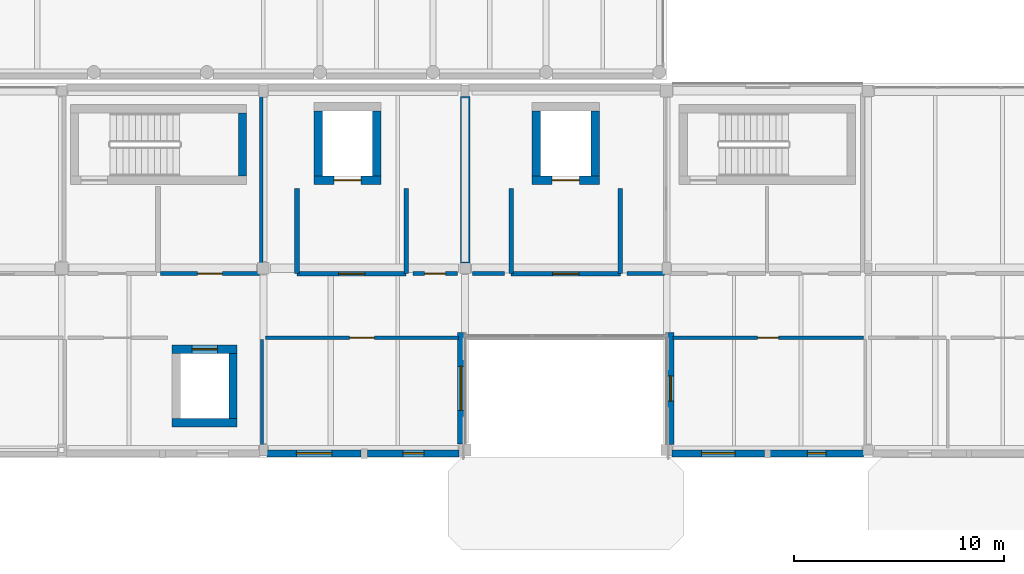
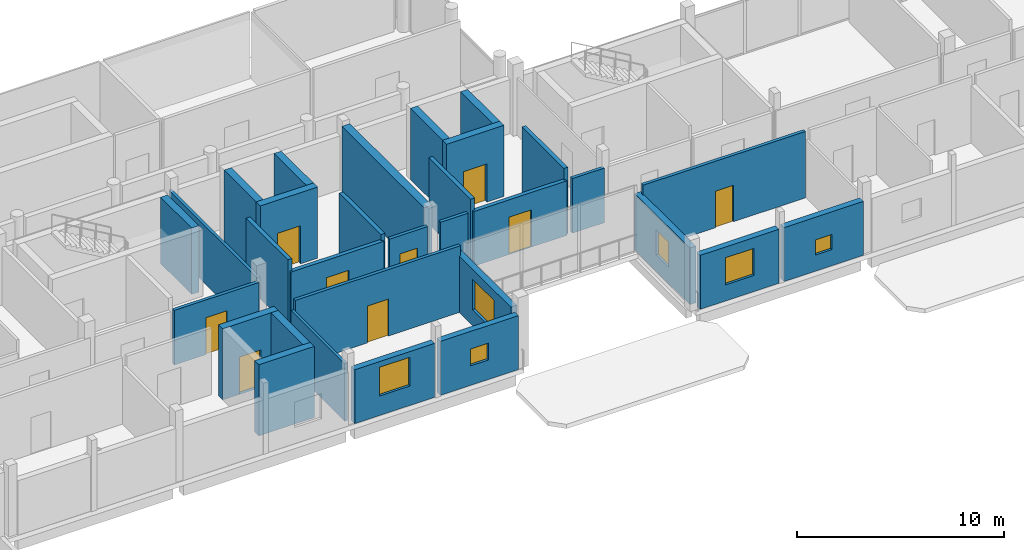
# One storey, part 43 of 66: 31 walls, 9 doors, 6 windows, 15 openings.
"""IFC4 building model written with IfcOpenShell, lengths in metres."""

import ifcopenshell
import ifcopenshell.guid

model = None  # the IFC model being written
_history = None  # IfcOwnerHistory: only IFC2X3 demands one
_inside = {}  # id of a spatial element -> (the spatial element, [elements in it])
_under = {}  # id of a project, library or spatial element -> (it, [spatial elements below it])
_declared = {}  # id of a project -> (the project, [libraries it declares])
_typed = {}  # id of a type object -> (the type object, [elements of that type])
_made_of = {}  # id of a material, layer set ... -> (it, [elements and type objects made of it])


def new_model(schema):
    """Start an empty IFC model of exactly this schema.

    Asked for "IFC4X3", IfcOpenShell would pick the latest addendum, in which some entities
    have other attributes; the version numbers below select the first issue.
    IFC2X3 requires an IfcOwnerHistory on every rooted entity: one is made here for all.
    """
    global model, _history
    if schema == "IFC4X3":
        model = ifcopenshell.file(schema_version=(4, 3, 0, 0))
    else:
        model = ifcopenshell.file(schema=schema)
    _inside.clear()
    _under.clear()
    _declared.clear()
    _typed.clear()
    _made_of.clear()
    _history = None
    if model.schema == "IFC2X3":
        org = make("IfcOrganization", Name="unknown")
        user = make(
            "IfcPersonAndOrganization",
            ThePerson=make("IfcPerson", FamilyName="unknown"),
            TheOrganization=org,
        )
        app = make(
            "IfcApplication",
            ApplicationDeveloper=org,
            Version="unknown",
            ApplicationFullName="unknown",
            ApplicationIdentifier="unknown",
        )
        _history = make(
            "IfcOwnerHistory",
            OwningUser=user,
            OwningApplication=app,
            ChangeAction="ADDED",
            CreationDate=0,
        )
    return model


def make(cls, **values):
    """One entity of the class cls with the attributes given. An attribute that is None is left unset."""
    return model.create_entity(
        cls, **{name: value for name, value in values.items() if value is not None}
    )


def rooted(cls, **values):
    """An entity with a GlobalId (a new one), such as an element, a storey or a relation."""
    return make(cls, GlobalId=ifcopenshell.guid.new(), OwnerHistory=_history, **values)


def si_unit(unit_type, name, prefix=None):
    """IfcSIUnit, for example si_unit("LENGTHUNIT", "METRE", prefix="MILLI")."""
    return make("IfcSIUnit", UnitType=unit_type, Prefix=prefix, Name=name)


def assignment(units):
    """IfcUnitAssignment: the units of a project."""
    return None if units is None else make("IfcUnitAssignment", Units=units)


def point(xyz):
    """IfcCartesianPoint."""
    return None if xyz is None else make("IfcCartesianPoint", Coordinates=xyz)


def direction(xyz):
    """IfcDirection."""
    return None if xyz is None else make("IfcDirection", DirectionRatios=xyz)


def frame(location, z_axis=None, x_axis=None):
    """IfcAxis2Placement3D, a coordinate frame: its origin and axes. An axis left out is left unset."""
    return make(
        "IfcAxis2Placement3D",
        Location=point(location),
        Axis=direction(z_axis),
        RefDirection=direction(x_axis),
    )


def frame_2d(location, x_axis=None):
    """IfcAxis2Placement2D, a coordinate frame in the plane: its origin and x axis."""
    return make(
        "IfcAxis2Placement2D", Location=point(location), RefDirection=direction(x_axis)
    )


def origin():
    """The frame at (0, 0, 0) with its axes left unset."""
    return frame((0.0, 0.0, 0.0))


def place(relative_to, where):
    """IfcLocalPlacement: puts the frame where relative to a parent placement (None: the world)."""
    return make(
        "IfcLocalPlacement", PlacementRelTo=relative_to, RelativePlacement=where
    )


def context(
    kind, dimensions, precision=None, world=None, true_north=None, identifier=None
):
    """IfcGeometricRepresentationContext, for example the 3D "Model" context."""
    return make(
        "IfcGeometricRepresentationContext",
        ContextIdentifier=identifier,
        ContextType=kind,
        CoordinateSpaceDimension=dimensions,
        Precision=precision,
        WorldCoordinateSystem=world,
        TrueNorth=true_north,
    )


def subcontext(parent, identifier, kind, view, scale=None):
    """IfcGeometricRepresentationSubContext, for example "Body" below "Model"."""
    return make(
        "IfcGeometricRepresentationSubContext",
        ContextIdentifier=identifier,
        ContextType=kind,
        ParentContext=parent,
        TargetScale=scale,
        TargetView=view,
    )


def project(units=None, contexts=None):
    """IfcProject with its units and contexts."""
    return rooted(
        "IfcProject",
        Name="project",
        RepresentationContexts=contexts,
        UnitsInContext=assignment(units),
    )


def spatial(cls, under=None, at=None, **own):
    """A site, building, storey or space (cls), placed at a placement, below another one or the project."""
    s = rooted(cls, ObjectPlacement=at, **own)
    if under is not None:
        _under.setdefault(under.id(), (under, []))[1].append(s)
    return s


def profile(cls, at=None, kind="AREA", **sizes):
    """A parametric profile (cls). Its sizes go by their IFC names, for example OverallWidth=200.0."""
    return make(cls, ProfileType=kind, Position=at, **sizes)


def rectangle(**sizes):
    """IfcRectangleProfileDef."""
    return profile("IfcRectangleProfileDef", **sizes)


def extrude(swept, where, along, depth):
    """IfcExtrudedAreaSolid: the profile swept, set in the frame where, extruded along a direction by depth."""
    return make(
        "IfcExtrudedAreaSolid",
        SweptArea=swept,
        Position=where,
        ExtrudedDirection=direction(along),
        Depth=depth,
    )


def shape(context_of_items, identifier, shape_type, items):
    """IfcShapeRepresentation: the items that make up one representation, for example the "Body"."""
    return make(
        "IfcShapeRepresentation",
        ContextOfItems=context_of_items,
        RepresentationIdentifier=identifier,
        RepresentationType=shape_type,
        Items=items,
    )


def material(Name=None, Category=None):
    """IfcMaterial."""
    return make("IfcMaterial", Name=Name, Category=Category)


def layer(
    of_material, thickness, ventilated=None, Name=None, Category=None, Priority=None
):
    """IfcMaterialLayer: one layer of a wall or slab, of a material (None: an air gap)."""
    return make(
        "IfcMaterialLayer",
        Material=of_material,
        LayerThickness=thickness,
        IsVentilated=ventilated,
        Name=Name,
        Category=Category,
        Priority=Priority,
    )


def layer_set(layers, Name=None):
    """IfcMaterialLayerSet."""
    return make("IfcMaterialLayerSet", MaterialLayers=layers, LayerSetName=Name)


def made_of(thing, what):
    """Note that an element or type object is made of a material, layer set ...; save() writes the relation."""
    if what is not None:
        _made_of.setdefault(what.id(), (what, []))[1].append(thing)
    return thing


def type_object(cls, material=None, **own):
    """A type object (cls), such as IfcWallType, which elements share."""
    return made_of(rooted(cls, **own), material)


def element(
    cls,
    number,
    at=None,
    inside=None,
    cuts=None,
    type_object=None,
    material=None,
    context=None,
    identifier="Body",
    shape_type=None,
    held_by="IfcProductDefinitionShape",
    body=None,
    shapes=None,
    **own,
):
    """One element of the class cls, such as IfcWall. Its Tag is "e" and its number.

    at: its placement. inside: the storey or other place that contains it. cuts: it is an
    opening in that element (IfcRelVoidsElement). A single representation is given by context,
    identifier, shape_type and body (its items); several are given by shapes. held_by: the class
    of the entity that holds the representations. save() writes the other relations.
    """
    e = rooted(cls, Tag="e%d" % number, ObjectPlacement=at, **own)
    if body is not None:
        shapes = [shape(context, identifier, shape_type, body)]
    if shapes is not None:
        e.Representation = make(held_by, Representations=shapes)
    if inside is not None:
        _inside.setdefault(inside.id(), (inside, []))[1].append(e)
    if cuts is not None:
        rooted(
            "IfcRelVoidsElement", RelatingBuildingElement=cuts, RelatedOpeningElement=e
        )
    if type_object is not None:
        _typed.setdefault(type_object.id(), (type_object, []))[1].append(e)
    return made_of(e, material)


def fill(opening, filler):
    """IfcRelFillsElement: the door or window that sits in an opening."""
    return rooted(
        "IfcRelFillsElement",
        RelatingOpeningElement=opening,
        RelatedBuildingElement=filler,
    )


def aggregate(whole, parts):
    """IfcRelAggregates: a whole, such as a stair, and the parts it consists of."""
    return rooted("IfcRelAggregates", RelatingObject=whole, RelatedObjects=parts)


def save(model, path):
    """Write the relations noted so far, then the file.

    IfcRelAggregates (storeys below a building ...), IfcRelContainedInSpatialStructure (elements
    in a storey), IfcRelDefinesByType, IfcRelAssociatesMaterial and IfcRelDeclares: one each for
    every whole, place, type object, material and project.
    """
    for whole, parts in _under.values():
        aggregate(whole, parts)
    for where, things in _inside.values():
        rooted(
            "IfcRelContainedInSpatialStructure",
            RelatedElements=things,
            RelatingStructure=where,
        )
    for kind, things in _typed.values():
        rooted("IfcRelDefinesByType", RelatedObjects=things, RelatingType=kind)
    for what, things in _made_of.values():
        rooted("IfcRelAssociatesMaterial", RelatedObjects=things, RelatingMaterial=what)
    for by, libraries in _declared.values():
        rooted("IfcRelDeclares", RelatingContext=by, RelatedDefinitions=libraries)
    model.write(path)


model = new_model("IFC4")

# Units and contexts
model_context = context("Model", 3, precision=1e-05, world=origin(), true_north=direction((0.0, 1.0)))
body_context = subcontext(model_context, "Body", "Model", "MODEL_VIEW")
ifc_project = project(units=[si_unit("LENGTHUNIT", "METRE"), si_unit("AREAUNIT", "SQUARE_METRE"), si_unit("VOLUMEUNIT", "CUBIC_METRE"), si_unit("PLANEANGLEUNIT", "RADIAN"), si_unit("MASSUNIT", "GRAM", prefix="KILO")], contexts=[model_context])

# Site, building, storey
site_placement = place(None, origin())
site = spatial("IfcSite", under=ifc_project, at=site_placement, CompositionType="ELEMENT")
building_placement = place(site_placement, origin())
building = spatial("IfcBuilding", under=site, at=building_placement, Name="Birchvale Park Specialist Clinic", CompositionType="ELEMENT")
storey_placement = place(building_placement, frame((0.0, 0.0, 5.39990234375)))
storey = spatial("IfcBuildingStorey", under=building, at=storey_placement, Name="L01", CompositionType="ELEMENT", Elevation=5.39990234375)

# Wall
ifc_material_1 = material(Name="Concrete C40/50", Category="concrete")
ifc_layer_1 = layer(ifc_material_1, 0.39990234375)
ifc_layer_set_1 = layer_set([ifc_layer_1], Name="Concrete C40/50")
wall_type_1 = type_object("IfcWallType", Name="WL-CW-120", PredefinedType="SHEAR", material=ifc_layer_set_1)
wall_1_placement = place(storey_placement, frame((70.0, 33.199951171875, 0.0), z_axis=(0.0, 0.0, 1.0), x_axis=(0.0, -1.0, 0.0)))
element("IfcWall", 1, at=wall_1_placement, inside=storey, type_object=wall_type_1, Name="L01 stair ST4 EI 120 enclosure wall (east)", PredefinedType="SHEAR", context=body_context, shape_type="SweptSolid", body=[
    extrude(rectangle(XDim=3.0, YDim=0.39990234375, at=frame_2d((1.5, 0.0))), origin(), (0.0, 0.0, 1.0), 3.920166015625),
])

# Wall, opening, door
wall_2_placement = place(storey_placement, frame((73.39990234375, 30.0, 0.0), z_axis=(0.0, 0.0, 1.0), x_axis=(1.0, 0.0, 0.0)))
wall_2 = element("IfcWall", 2, at=wall_2_placement, inside=storey, type_object=wall_type_1, Name="L01 lift LF1 shaft wall (south)", PredefinedType="SHEAR", context=body_context, shape_type="SweptSolid", body=[
    extrude(rectangle(XDim=3.2001953125, YDim=0.39990234375, at=frame_2d((1.60009765625, 0.0))), origin(), (0.0, 0.0, 1.0), 4.2001953125),
])
opening_1_placement = place(wall_2_placement, frame((0.949951171875, 0.0, 0.0)))
opening_1 = element("IfcOpeningElement", 3, at=opening_1_placement, cuts=wall_2, Name="Opening LD-02", PredefinedType="OPENING", context=body_context, shape_type="SweptSolid", body=[
    extrude(rectangle(XDim=1.300048828125, YDim=2.25, at=frame_2d((0.64990234375, 1.125))), frame((0.0, 0.2099609375, 0.0), z_axis=(0.0, -1.0, 0.0), x_axis=(1.0, 0.0, 0.0)), (0.0, 0.0, 1.0), 0.419921875),
])
ifc_material_2 = material(Name="Solid-core birch veneer and anodised aluminium", Category="aluminium")
door_type_1 = type_object("IfcDoorType", Name="DR-LD-02", OperationType="DOUBLE_DOOR_SLIDING", PredefinedType="DOOR", material=ifc_material_2)
door_1_placement = place(opening_1_placement, origin())
door_1 = element("IfcDoor", 4, at=door_1_placement, inside=storey, type_object=door_type_1, Name="L01 lift LF1 sliding landing door", OperationType="DOUBLE_DOOR_SLIDING", OverallHeight=2.25, OverallWidth=1.300048828125, PredefinedType="DOOR", context=body_context, shape_type="SweptSolid", body=[
    extrude(rectangle(XDim=1.300048828125, YDim=2.25, at=frame_2d((0.64990234375, 1.125))), frame((0.0, 0.02490234375, 0.0), z_axis=(0.0, -1.0, 0.0), x_axis=(1.0, 0.0, 0.0)), (0.0, 0.0, 1.0), 0.050048828125),
])
fill(opening_1, door_1)

# Walls
for number, where, z_axis, x_axis, name in (
    (5, (73.60009765625, 30.199951171875, 0.0), (0.0, 0.0, 1.0), (0.0, 1.0, 0.0), "L01 lift LF1 shaft wall (west)"),
    (6, (76.39990234375, 33.300048828125, 0.0), (0.0, 0.0, 1.0), (0.0, -1.0, 0.0), "L01 lift LF1 shaft wall (east)"),
):
    element("IfcWall", number, at=place(storey_placement, frame(where, z_axis=z_axis, x_axis=x_axis)), inside=storey, type_object=wall_type_1, Name=name, PredefinedType="SHEAR", context=body_context, shape_type="SweptSolid", body=[
        extrude(rectangle(XDim=3.10009765625, YDim=0.39990234375, at=frame_2d((1.550048828125, 0.0))), origin(), (0.0, 0.0, 1.0), 4.2001953125),
    ])

# Wall, opening, door
wall_3_placement = place(storey_placement, frame((83.800048828125, 30.0, 0.0), z_axis=(0.0, 0.0, 1.0), x_axis=(1.0, 0.0, 0.0)))
wall_3 = element("IfcWall", 7, at=wall_3_placement, inside=storey, type_object=wall_type_1, Name="L01 lift LF2 shaft wall (south)", PredefinedType="SHEAR", context=body_context, shape_type="SweptSolid", body=[
    extrude(rectangle(XDim=3.199951171875, YDim=0.39990234375, at=frame_2d((1.60009765625, 0.0))), origin(), (0.0, 0.0, 1.0), 4.2001953125),
])
opening_2_placement = place(wall_3_placement, frame((0.949951171875, 0.0, 0.0)))
opening_2 = element("IfcOpeningElement", 8, at=opening_2_placement, cuts=wall_3, Name="Opening LD-02", PredefinedType="OPENING", context=body_context, shape_type="SweptSolid", body=[
    extrude(rectangle(XDim=1.300048828125, YDim=2.25, at=frame_2d((0.64990234375, 1.125))), frame((0.0, 0.2099609375, 0.0), z_axis=(0.0, -1.0, 0.0), x_axis=(1.0, 0.0, 0.0)), (0.0, 0.0, 1.0), 0.419921875),
])
door_2_placement = place(opening_2_placement, origin())
door_2 = element("IfcDoor", 9, at=door_2_placement, inside=storey, type_object=door_type_1, Name="L01 lift LF2 sliding landing door", OperationType="DOUBLE_DOOR_SLIDING", OverallHeight=2.25, OverallWidth=1.300048828125, PredefinedType="DOOR", context=body_context, shape_type="SweptSolid", body=[
    extrude(rectangle(XDim=1.300048828125, YDim=2.25, at=frame_2d((0.64990234375, 1.125))), frame((0.0, 0.02490234375, 0.0), z_axis=(0.0, -1.0, 0.0), x_axis=(1.0, 0.0, 0.0)), (0.0, 0.0, 1.0), 0.050048828125),
])
fill(opening_2, door_2)

# Walls
for number, where, z_axis, x_axis, name in (
    (10, (84.0, 30.199951171875, 0.0), (0.0, 0.0, 1.0), (0.0, 1.0, 0.0), "L01 lift LF2 shaft wall (west)"),
    (11, (86.800048828125, 33.300048828125, 0.0), (0.0, 0.0, 1.0), (0.0, -1.0, 0.0), "L01 lift LF2 shaft wall (east)"),
    (12, (66.64990234375, 18.449951171875, 0.0), (0.0, 0.0, 1.0), (1.0, 0.0, 0.0), "L01 lift LP1 shaft wall (south)"),
):
    element("IfcWall", number, at=place(storey_placement, frame(where, z_axis=z_axis, x_axis=x_axis)), inside=storey, type_object=wall_type_1, Name=name, PredefinedType="SHEAR", context=body_context, shape_type="SweptSolid", body=[
        extrude(rectangle(XDim=3.10009765625, YDim=0.39990234375, at=frame_2d((1.550048828125, 0.0))), origin(), (0.0, 0.0, 1.0), 4.2001953125),
    ])

# Wall, opening, door
wall_4_placement = place(storey_placement, frame((69.75, 21.949951171875, 0.0), z_axis=(0.0, 0.0, 1.0), x_axis=(-1.0, 0.0, 0.0)))
wall_4 = element("IfcWall", 13, at=wall_4_placement, inside=storey, type_object=wall_type_1, Name="L01 lift LP1 shaft wall (north)", PredefinedType="SHEAR", context=body_context, shape_type="SweptSolid", body=[
    extrude(rectangle(XDim=3.10009765625, YDim=0.39990234375, at=frame_2d((1.550048828125, 0.0))), origin(), (0.0, 0.0, 1.0), 4.2001953125),
])
opening_3_placement = place(wall_4_placement, frame((0.949951171875, 0.0, 0.0)))
opening_3 = element("IfcOpeningElement", 14, at=opening_3_placement, cuts=wall_4, Name="Opening LD-01", PredefinedType="OPENING", context=body_context, shape_type="SweptSolid", body=[
    extrude(rectangle(XDim=1.199951171875, YDim=2.199951171875, at=frame_2d((0.60009765625, 1.10009765625))), frame((0.0, 0.2099609375, 0.0), z_axis=(0.0, -1.0, 0.0), x_axis=(1.0, 0.0, 0.0)), (0.0, 0.0, 1.0), 0.419921875),
])
door_type_2 = type_object("IfcDoorType", Name="DR-LD-01", OperationType="DOUBLE_DOOR_SLIDING", PredefinedType="DOOR", material=ifc_material_2)
door_3_placement = place(opening_3_placement, origin())
door_3 = element("IfcDoor", 15, at=door_3_placement, inside=storey, type_object=door_type_2, Name="L01 lift LP1 sliding landing door", OperationType="DOUBLE_DOOR_SLIDING", OverallHeight=2.199951171875, OverallWidth=1.199951171875, PredefinedType="DOOR", context=body_context, shape_type="SweptSolid", body=[
    extrude(rectangle(XDim=1.199951171875, YDim=2.199951171875, at=frame_2d((0.60009765625, 1.10009765625))), frame((0.0, 0.02490234375, 0.0), z_axis=(0.0, -1.0, 0.0), x_axis=(1.0, 0.0, 0.0)), (0.0, 0.0, 1.0), 0.050048828125),
])
fill(opening_3, door_3)

# Wall
wall_5_placement = place(storey_placement, frame((69.550048828125, 21.75, 0.0), z_axis=(0.0, 0.0, 1.0), x_axis=(0.0, -1.0, 0.0)))
element("IfcWall", 16, at=wall_5_placement, inside=storey, type_object=wall_type_1, Name="L01 lift LP1 shaft wall (east)", PredefinedType="SHEAR", context=body_context, shape_type="SweptSolid", body=[
    extrude(rectangle(XDim=3.10009765625, YDim=0.39990234375, at=frame_2d((1.550048828125, 0.0))), origin(), (0.0, 0.0, 1.0), 4.2001953125),
])

# Wall, opening, window
ifc_material_3 = material(Name="Lime-white mineral-rendered insulated masonry", Category="masonry")
ifc_layer_2 = layer(ifc_material_3, 0.340087890625)
ifc_layer_set_2 = layer_set([ifc_layer_2], Name="Lime-white mineral-rendered insulated masonry")
wall_type_2 = type_object("IfcWallType", Name="WL-EW-01", PredefinedType="STANDARD", material=ifc_layer_set_2)
wall_6_placement = place(storey_placement, frame((71.179931640625, 16.989990234375, 0.0), z_axis=(0.0, 0.0, 1.0), x_axis=(1.0, 0.0, 0.0)))
wall_6 = element("IfcWall", 17, at=wall_6_placement, inside=storey, type_object=wall_type_2, Name="V4 L01 exterior facade wall 141", PredefinedType="STANDARD", context=body_context, shape_type="SweptSolid", body=[
    extrude(rectangle(XDim=4.465087890625, YDim=0.340087890625, at=frame_2d((2.232421875, 0.0))), origin(), (0.0, 0.0, 1.0), 3.18505859375),
])
opening_4_placement = place(wall_6_placement, frame((1.382568359375, 0.0, 1.14990234375)))
opening_4 = element("IfcOpeningElement", 18, at=opening_4_placement, cuts=wall_6, Name="Opening W-SQ17", PredefinedType="OPENING", context=body_context, shape_type="SweptSolid", body=[
    extrude(rectangle(XDim=1.699951171875, YDim=1.699951171875, at=frame_2d((0.85009765625, 0.85009765625))), frame((0.0, 0.18017578125, 0.0), z_axis=(0.0, -1.0, 0.0), x_axis=(1.0, 0.0, 0.0)), (0.0, 0.0, 1.0), 0.360107421875),
])
ifc_material_4 = material(Name="Solar-control low-E double glazing", Category="glass")
window_type_1 = type_object("IfcWindowType", Name="WIN-W-SQ17", PartitioningType="SINGLE_PANEL", PredefinedType="WINDOW", material=ifc_material_4)
window_1_placement = place(opening_4_placement, origin())
window_1 = element("IfcWindow", 19, at=window_1_placement, inside=storey, type_object=window_type_1, Name="V4 L01 cased window 35", OverallHeight=1.699951171875, OverallWidth=1.699951171875, PartitioningType="SINGLE_PANEL", PredefinedType="WINDOW", context=body_context, shape_type="SweptSolid", body=[
    extrude(rectangle(XDim=1.699951171875, YDim=1.699951171875, at=frame_2d((0.85009765625, 0.85009765625))), frame((0.0, 0.030029296875, 0.0), z_axis=(0.0, -1.0, 0.0), x_axis=(1.0, 0.0, 0.0)), (0.0, 0.0, 1.0), 0.06005859375),
])
fill(opening_4, window_1)

wall_7_placement = place(storey_placement, frame((75.955078125, 16.989990234375, 0.0), z_axis=(0.0, 0.0, 1.0), x_axis=(1.0, 0.0, 0.0)))
wall_7 = element("IfcWall", 20, at=wall_7_placement, inside=storey, type_object=wall_type_2, Name="V4 L01 exterior facade wall 142", PredefinedType="STANDARD", context=body_context, shape_type="SweptSolid", body=[
    extrude(rectangle(XDim=4.35986328125, YDim=0.340087890625, at=frame_2d((2.179931640625, 0.0))), origin(), (0.0, 0.0, 1.0), 3.18505859375),
])
opening_5_placement = place(wall_7_placement, frame((1.679931640625, 0.0, 1.14990234375)))
opening_5 = element("IfcOpeningElement", 21, at=opening_5_placement, cuts=wall_7, Name="Opening W-SQ10", PredefinedType="OPENING", context=body_context, shape_type="SweptSolid", body=[
    extrude(rectangle(XDim=1.0, YDim=1.0, at=frame_2d((0.5, 0.5))), frame((0.0, 0.18017578125, 0.0), z_axis=(0.0, -1.0, 0.0), x_axis=(1.0, 0.0, 0.0)), (0.0, 0.0, 1.0), 0.360107421875),
])
window_type_2 = type_object("IfcWindowType", Name="WIN-W-SQ10", PartitioningType="SINGLE_PANEL", PredefinedType="WINDOW", material=ifc_material_4)
window_2_placement = place(opening_5_placement, origin())
window_2 = element("IfcWindow", 22, at=window_2_placement, inside=storey, type_object=window_type_2, Name="V4 L01 cased window 36", OverallHeight=1.0, OverallWidth=1.0, PartitioningType="SINGLE_PANEL", PredefinedType="WINDOW", context=body_context, shape_type="SweptSolid", body=[
    extrude(rectangle(XDim=1.0, YDim=1.0, at=frame_2d((0.5, 0.5))), frame((0.0, 0.030029296875, 0.0), z_axis=(0.0, -1.0, 0.0), x_axis=(1.0, 0.0, 0.0)), (0.0, 0.0, 1.0), 0.06005859375),
])
fill(opening_5, window_2)

wall_8_placement = place(storey_placement, frame((80.409912109375, 17.43505859375, 0.0), z_axis=(0.0, 0.0, 1.0), x_axis=(0.0, 1.0, 0.0)))
wall_8 = element("IfcWall", 23, at=wall_8_placement, inside=storey, type_object=wall_type_2, Name="V4 L01 exterior facade wall 143", PredefinedType="STANDARD", context=body_context, shape_type="SweptSolid", body=[
    extrude(rectangle(XDim=5.304931640625, YDim=0.340087890625, at=frame_2d((2.65234375, 0.0))), origin(), (0.0, 0.0, 1.0), 3.335205078125),
])
opening_6_placement = place(wall_8_placement, frame((1.6025390625, 0.0, 0.949951171875)))
opening_6 = element("IfcOpeningElement", 24, at=opening_6_placement, cuts=wall_8, Name="Opening W-CL07", PredefinedType="OPENING", context=body_context, shape_type="SweptSolid", body=[
    extrude(rectangle(XDim=2.10009765625, YDim=1.800048828125, at=frame_2d((1.050048828125, 0.89990234375))), frame((0.0, 0.18017578125, 0.0), z_axis=(0.0, -1.0, 0.0), x_axis=(1.0, 0.0, 0.0)), (0.0, 0.0, 1.0), 0.360107421875),
])
window_type_3 = type_object("IfcWindowType", Name="WIN-W-CL07", PartitioningType="SINGLE_PANEL", PredefinedType="WINDOW", material=ifc_material_4)
window_3_placement = place(opening_6_placement, origin())
window_3 = element("IfcWindow", 25, at=window_3_placement, inside=storey, type_object=window_type_3, Name="V4 L01 cased window 37", OverallHeight=1.800048828125, OverallWidth=2.10009765625, PartitioningType="SINGLE_PANEL", PredefinedType="WINDOW", context=body_context, shape_type="SweptSolid", body=[
    extrude(rectangle(XDim=2.10009765625, YDim=1.800048828125, at=frame_2d((1.050048828125, 0.89990234375))), frame((0.0, 0.030029296875, 0.0), z_axis=(0.0, -1.0, 0.0), x_axis=(1.0, 0.0, 0.0)), (0.0, 0.0, 1.0), 0.06005859375),
])
fill(opening_6, window_3)

wall_9_placement = place(storey_placement, frame((90.389892578125, 22.739990234375, 0.0), z_axis=(0.0, 0.0, 1.0), x_axis=(0.0, -1.0, 0.0)))
wall_9 = element("IfcWall", 26, at=wall_9_placement, inside=storey, type_object=wall_type_2, Name="V4 L01 exterior facade wall 144", PredefinedType="STANDARD", context=body_context, shape_type="SweptSolid", body=[
    extrude(rectangle(XDim=5.330078125, YDim=0.340087890625, at=frame_2d((2.6650390625, 0.0))), origin(), (0.0, 0.0, 1.0), 3.335205078125),
])
opening_7_placement = place(wall_9_placement, frame((2.06494140625, 0.0, 0.949951171875)))
opening_7 = element("IfcOpeningElement", 27, at=opening_7_placement, cuts=wall_9, Name="Opening W-CL01", PredefinedType="OPENING", context=body_context, shape_type="SweptSolid", body=[
    extrude(rectangle(XDim=1.199951171875, YDim=1.5, at=frame_2d((0.60009765625, 0.75))), frame((0.0, 0.18017578125, 0.0), z_axis=(0.0, -1.0, 0.0), x_axis=(1.0, 0.0, 0.0)), (0.0, 0.0, 1.0), 0.360107421875),
])
window_type_4 = type_object("IfcWindowType", Name="WIN-W-CL01", PartitioningType="SINGLE_PANEL", PredefinedType="WINDOW", material=ifc_material_4)
window_4_placement = place(opening_7_placement, origin())
window_4 = element("IfcWindow", 28, at=window_4_placement, inside=storey, type_object=window_type_4, Name="V4 L01 cased window 38", OverallHeight=1.5, OverallWidth=1.199951171875, PartitioningType="SINGLE_PANEL", PredefinedType="WINDOW", context=body_context, shape_type="SweptSolid", body=[
    extrude(rectangle(XDim=1.199951171875, YDim=1.5, at=frame_2d((0.60009765625, 0.75))), frame((0.0, 0.030029296875, 0.0), z_axis=(0.0, -1.0, 0.0), x_axis=(1.0, 0.0, 0.0)), (0.0, 0.0, 1.0), 0.06005859375),
])
fill(opening_7, window_4)

wall_10_placement = place(storey_placement, frame((90.4599609375, 16.989990234375, 0.0), z_axis=(0.0, 0.0, 1.0), x_axis=(1.0, 0.0, 0.0)))
wall_10 = element("IfcWall", 29, at=wall_10_placement, inside=storey, type_object=wall_type_2, Name="V4 L01 exterior facade wall 145", PredefinedType="STANDARD", context=body_context, shape_type="SweptSolid", body=[
    extrude(rectangle(XDim=4.405029296875, YDim=0.340087890625, at=frame_2d((2.20263671875, 0.0))), origin(), (0.0, 0.0, 1.0), 3.18505859375),
])
opening_8_placement = place(wall_10_placement, frame((1.402587890625, 0.0, 0.949951171875)))
opening_8 = element("IfcOpeningElement", 30, at=opening_8_placement, cuts=wall_10, Name="Opening W-SQ16", PredefinedType="OPENING", context=body_context, shape_type="SweptSolid", body=[
    extrude(rectangle(XDim=1.60009765625, YDim=1.60009765625, at=frame_2d((0.800048828125, 0.800048828125))), frame((0.0, 0.18017578125, 0.0), z_axis=(0.0, -1.0, 0.0), x_axis=(1.0, 0.0, 0.0)), (0.0, 0.0, 1.0), 0.360107421875),
])
window_type_5 = type_object("IfcWindowType", Name="WIN-W-SQ16", PartitioningType="SINGLE_PANEL", PredefinedType="WINDOW", material=ifc_material_4)
window_5_placement = place(opening_8_placement, origin())
window_5 = element("IfcWindow", 31, at=window_5_placement, inside=storey, type_object=window_type_5, Name="V4 L01 cased window 39", OverallHeight=1.60009765625, OverallWidth=1.60009765625, PartitioningType="SINGLE_PANEL", PredefinedType="WINDOW", context=body_context, shape_type="SweptSolid", body=[
    extrude(rectangle(XDim=1.60009765625, YDim=1.60009765625, at=frame_2d((0.800048828125, 0.800048828125))), frame((0.0, 0.030029296875, 0.0), z_axis=(0.0, -1.0, 0.0), x_axis=(1.0, 0.0, 0.0)), (0.0, 0.0, 1.0), 0.06005859375),
])
fill(opening_8, window_5)

wall_11_placement = place(storey_placement, frame((95.135009765625, 16.989990234375, 0.0), z_axis=(0.0, 0.0, 1.0), x_axis=(1.0, 0.0, 0.0)))
wall_11 = element("IfcWall", 32, at=wall_11_placement, inside=storey, type_object=wall_type_2, Name="V4 L01 exterior facade wall 146", PredefinedType="STANDARD", context=body_context, shape_type="SweptSolid", body=[
    extrude(rectangle(XDim=4.429931640625, YDim=0.340087890625, at=frame_2d((2.21484375, 0.0))), origin(), (0.0, 0.0, 1.0), 3.18505859375),
])
opening_9_placement = place(wall_11_placement, frame((1.764892578125, 0.0, 0.949951171875)))
opening_9 = element("IfcOpeningElement", 33, at=opening_9_placement, cuts=wall_11, Name="Opening W-SQ09", PredefinedType="OPENING", context=body_context, shape_type="SweptSolid", body=[
    extrude(rectangle(XDim=0.89990234375, YDim=0.89990234375, at=frame_2d((0.449951171875, 0.449951171875))), frame((0.0, 0.18017578125, 0.0), z_axis=(0.0, -1.0, 0.0), x_axis=(1.0, 0.0, 0.0)), (0.0, 0.0, 1.0), 0.360107421875),
])
window_type_6 = type_object("IfcWindowType", Name="WIN-W-SQ09", PartitioningType="SINGLE_PANEL", PredefinedType="WINDOW", material=ifc_material_4)
window_6_placement = place(opening_9_placement, origin())
window_6 = element("IfcWindow", 34, at=window_6_placement, inside=storey, type_object=window_type_6, Name="V4 L01 cased window 40", OverallHeight=0.89990234375, OverallWidth=0.89990234375, PartitioningType="SINGLE_PANEL", PredefinedType="WINDOW", context=body_context, shape_type="SweptSolid", body=[
    extrude(rectangle(XDim=0.89990234375, YDim=0.89990234375, at=frame_2d((0.449951171875, 0.449951171875))), frame((0.0, 0.030029296875, 0.0), z_axis=(0.0, -1.0, 0.0), x_axis=(1.0, 0.0, 0.0)), (0.0, 0.0, 1.0), 0.06005859375),
])
fill(opening_9, window_6)

# Walls
ifc_material_5 = material(Name="Acoustic gypsum board on metal framing")
ifc_layer_3 = layer(ifc_material_5, 0.1650390625)
ifc_layer_set_3 = layer_set([ifc_layer_3], Name="Acoustic gypsum board on metal framing")
wall_type_3 = type_object("IfcWallType", Name="WL-IW-01", PredefinedType="PARTITIONING", material=ifc_layer_set_3)
wall_12_placement = place(storey_placement, frame((70.893310546875, 34.159912109375, 0.0), z_axis=(0.0, 0.0, 1.0), x_axis=(0.0, -1.0, 0.0)))
element("IfcWall", 35, at=wall_12_placement, inside=storey, type_object=wall_type_3, Name="V4 L01 clinical partition 348", PredefinedType="PARTITIONING", context=body_context, shape_type="SweptSolid", body=[
    extrude(rectangle(XDim=8.530029296875, YDim=0.1650390625, at=frame_2d((4.26513671875, 0.0))), origin(), (0.0, 0.0, 1.0), 3.405029296875),
])
ifc_layer_4 = layer(ifc_material_5, 0.14990234375)
ifc_layer_set_4 = layer_set([ifc_layer_4], Name="Acoustic gypsum board on metal framing")
wall_type_4 = type_object("IfcWallType", Name="WL-IW-02", PredefinedType="PARTITIONING", material=ifc_layer_set_4)
wall_13_placement = place(storey_placement, frame((70.933349609375, 22.419921875, 0.0), z_axis=(0.0, 0.0, 1.0), x_axis=(0.0, -1.0, 0.0)))
element("IfcWall", 36, at=wall_13_placement, inside=storey, type_object=wall_type_4, Name="V4 L01 clinical partition 326", PredefinedType="PARTITIONING", context=body_context, shape_type="SweptSolid", body=[
    extrude(rectangle(XDim=5.179931640625, YDim=0.14990234375, at=frame_2d((2.58984375, 0.0))), origin(), (0.0, 0.0, 1.0), 3.405029296875),
])
ifc_layer_5 = layer(ifc_material_5, 0.219970703125)
ifc_layer_set_5 = layer_set([ifc_layer_5], Name="Acoustic gypsum board on metal framing")
wall_type_5 = type_object("IfcWallType", Name="WL-IW-120", PredefinedType="PARTITIONING", material=ifc_layer_set_5)
wall_14_placement = place(storey_placement, frame((72.60009765625, 29.60009765625, 0.0), z_axis=(0.0, 0.0, 1.0), x_axis=(0.0, -1.0, 0.0)))
element("IfcWall", 37, at=wall_14_placement, inside=storey, type_object=wall_type_5, Name="L01 firefighting lift lobby K4 EI 120 wall (west)", PredefinedType="PARTITIONING", context=body_context, shape_type="SweptSolid", body=[
    extrude(rectangle(XDim=4.050048828125, YDim=0.219970703125, at=frame_2d((2.02490234375, 0.0))), origin(), (0.0, 0.0, 1.0), 3.920166015625),
])

# Wall, opening, door
wall_15_placement = place(storey_placement, frame((72.60009765625, 25.550048828125, 0.0), z_axis=(0.0, 0.0, 1.0), x_axis=(1.0, 0.0, 0.0)))
wall_15 = element("IfcWall", 38, at=wall_15_placement, inside=storey, type_object=wall_type_5, Name="L01 firefighting lift lobby K4 EI 120 wall (south)", PredefinedType="PARTITIONING", context=body_context, shape_type="SweptSolid", body=[
    extrude(rectangle(XDim=5.199951171875, YDim=0.219970703125, at=frame_2d((2.60009765625, 0.0))), origin(), (0.0, 0.0, 1.0), 3.22509765625),
])
opening_10_placement = place(wall_15_placement, frame((1.97509765625, 0.0, 0.0)))
opening_10 = element("IfcOpeningElement", 39, at=opening_10_placement, cuts=wall_15, Name="Opening ID-FD60", PredefinedType="OPENING", context=body_context, shape_type="SweptSolid", body=[
    extrude(rectangle(XDim=1.25, YDim=2.199951171875, at=frame_2d((0.625, 1.10009765625))), frame((0.0, 0.1201171875, 0.0), z_axis=(0.0, -1.0, 0.0), x_axis=(1.0, 0.0, 0.0)), (0.0, 0.0, 1.0), 0.239990234375),
])
door_type_3 = type_object("IfcDoorType", Name="DR-ID-FD60", OperationType="NOTDEFINED", PredefinedType="DOOR", material=ifc_material_2)
door_4_placement = place(opening_10_placement, origin())
door_4 = element("IfcDoor", 40, at=door_4_placement, inside=storey, type_object=door_type_3, Name="L01 firefighting lobby K4 fire door", OperationType="SINGLE_SWING_RIGHT", OverallHeight=2.199951171875, OverallWidth=1.25, PredefinedType="DOOR", context=body_context, shape_type="SweptSolid", body=[
    extrude(rectangle(XDim=1.25, YDim=2.199951171875, at=frame_2d((0.625, 1.10009765625))), frame((0.0, 0.02490234375, 0.0), z_axis=(0.0, -1.0, 0.0), x_axis=(1.0, 0.0, 0.0)), (0.0, 0.0, 1.0), 0.050048828125),
])
fill(opening_10, door_4)

# Walls
wall_16_placement = place(storey_placement, frame((77.800048828125, 25.550048828125, 0.0), z_axis=(0.0, 0.0, 1.0), x_axis=(0.0, 1.0, 0.0)))
element("IfcWall", 41, at=wall_16_placement, inside=storey, type_object=wall_type_5, Name="L01 firefighting lift lobby K4 EI 120 wall (east)", PredefinedType="PARTITIONING", context=body_context, shape_type="SweptSolid", body=[
    extrude(rectangle(XDim=4.050048828125, YDim=0.219970703125, at=frame_2d((2.02490234375, 0.0))), origin(), (0.0, 0.0, 1.0), 3.588134765625),
])
wall_17_placement = place(storey_placement, frame((82.800048828125, 29.60009765625, 0.0), z_axis=(0.0, 0.0, 1.0), x_axis=(0.0, -1.0, 0.0)))
element("IfcWall", 42, at=wall_17_placement, inside=storey, type_object=wall_type_5, Name="L01 firefighting lift lobby K5 EI 120 wall (west)", PredefinedType="PARTITIONING", context=body_context, shape_type="SweptSolid", body=[
    extrude(rectangle(XDim=4.050048828125, YDim=0.219970703125, at=frame_2d((2.02490234375, 0.0))), origin(), (0.0, 0.0, 1.0), 3.920166015625),
])

# Wall, opening, door
wall_18_placement = place(storey_placement, frame((82.800048828125, 25.550048828125, 0.0), z_axis=(0.0, 0.0, 1.0), x_axis=(1.0, 0.0, 0.0)))
wall_18 = element("IfcWall", 43, at=wall_18_placement, inside=storey, type_object=wall_type_5, Name="L01 firefighting lift lobby K5 EI 120 wall (south)", PredefinedType="PARTITIONING", context=body_context, shape_type="SweptSolid", body=[
    extrude(rectangle(XDim=5.199951171875, YDim=0.219970703125, at=frame_2d((2.60009765625, 0.0))), origin(), (0.0, 0.0, 1.0), 3.22509765625),
])
opening_11_placement = place(wall_18_placement, frame((1.97509765625, 0.0, 0.0)))
opening_11 = element("IfcOpeningElement", 44, at=opening_11_placement, cuts=wall_18, Name="Opening ID-FD60", PredefinedType="OPENING", context=body_context, shape_type="SweptSolid", body=[
    extrude(rectangle(XDim=1.25, YDim=2.199951171875, at=frame_2d((0.625, 1.10009765625))), frame((0.0, 0.1201171875, 0.0), z_axis=(0.0, -1.0, 0.0), x_axis=(1.0, 0.0, 0.0)), (0.0, 0.0, 1.0), 0.239990234375),
])
door_5_placement = place(opening_11_placement, origin())
door_5 = element("IfcDoor", 45, at=door_5_placement, inside=storey, type_object=door_type_3, Name="L01 firefighting lobby K5 fire door", OperationType="SINGLE_SWING_LEFT", OverallHeight=2.199951171875, OverallWidth=1.25, PredefinedType="DOOR", context=body_context, shape_type="SweptSolid", body=[
    extrude(rectangle(XDim=1.25, YDim=2.199951171875, at=frame_2d((0.625, 1.10009765625))), frame((0.0, 0.02490234375, 0.0), z_axis=(0.0, -1.0, 0.0), x_axis=(1.0, 0.0, 0.0)), (0.0, 0.0, 1.0), 0.050048828125),
])
fill(opening_11, door_5)

# Wall
wall_19_placement = place(storey_placement, frame((88.0, 25.550048828125, 0.0), z_axis=(0.0, 0.0, 1.0), x_axis=(0.0, 1.0, 0.0)))
element("IfcWall", 46, at=wall_19_placement, inside=storey, type_object=wall_type_5, Name="L01 firefighting lift lobby K5 EI 120 wall (east)", PredefinedType="PARTITIONING", context=body_context, shape_type="SweptSolid", body=[
    extrude(rectangle(XDim=4.050048828125, YDim=0.219970703125, at=frame_2d((2.02490234375, 0.0))), origin(), (0.0, 0.0, 1.0), 3.920166015625),
])

# Wall, opening, door
ifc_layer_6 = layer(ifc_material_5, 0.179931640625)
ifc_layer_set_6 = layer_set([ifc_layer_6], Name="Acoustic gypsum board on metal framing")
wall_type_6 = type_object("IfcWallType", Name="WL-IW-60", PredefinedType="PARTITIONING", material=ifc_layer_set_6)
wall_20_placement = place(storey_placement, frame((71.09326171875, 22.5, 0.0), z_axis=(0.0, 0.0, 1.0), x_axis=(1.0, 0.0, 0.0)))
wall_20 = element("IfcWall", 47, at=wall_20_placement, inside=storey, type_object=wall_type_6, Name="V4 L01 clinical partition 327", PredefinedType="PARTITIONING", context=body_context, shape_type="SweptSolid", body=[
    extrude(rectangle(XDim=9.206787109375, YDim=0.179931640625, at=frame_2d((4.603515625, 0.0))), origin(), (0.0, 0.0, 1.0), 3.920166015625),
])
opening_12_placement = place(wall_20_placement, frame((4.01318359375, 0.0, 0.0)))
opening_12 = element("IfcOpeningElement", 48, at=opening_12_placement, cuts=wall_20, Name="Opening ID-ST60", PredefinedType="OPENING", context=body_context, shape_type="SweptSolid", body=[
    extrude(rectangle(XDim=1.179931640625, YDim=2.179931640625, at=frame_2d((0.58984375, 1.08984375))), frame((0.0, 0.10009765625, 0.0), z_axis=(0.0, -1.0, 0.0), x_axis=(1.0, 0.0, 0.0)), (0.0, 0.0, 1.0), 0.199951171875),
])
door_type_4 = type_object("IfcDoorType", Name="DR-ID-ST60", OperationType="NOTDEFINED", PredefinedType="DOOR", material=ifc_material_2)
door_6_placement = place(opening_12_placement, origin())
door_6 = element("IfcDoor", 49, at=door_6_placement, inside=storey, type_object=door_type_4, Name="L01 Ophthalmology Outpatient Clinic door", OperationType="SINGLE_SWING_RIGHT", OverallHeight=2.179931640625, OverallWidth=1.179931640625, PredefinedType="DOOR", context=body_context, shape_type="SweptSolid", body=[
    extrude(rectangle(XDim=1.179931640625, YDim=2.179931640625, at=frame_2d((0.58984375, 1.08984375))), frame((0.0, 0.02490234375, 0.0), z_axis=(0.0, -1.0, 0.0), x_axis=(1.0, 0.0, 0.0)), (0.0, 0.0, 1.0), 0.050048828125),
])
fill(opening_12, door_6)

wall_21_placement = place(storey_placement, frame((90.5, 22.5, 0.0), z_axis=(0.0, 0.0, 1.0), x_axis=(1.0, 0.0, 0.0)))
wall_21 = element("IfcWall", 50, at=wall_21_placement, inside=storey, type_object=wall_type_6, Name="V4 L01 clinical partition 328", PredefinedType="PARTITIONING", context=body_context, shape_type="SweptSolid", body=[
    extrude(rectangle(XDim=9.0732421875, YDim=0.179931640625, at=frame_2d((4.53662109375, 0.0))), origin(), (0.0, 0.0, 1.0), 3.920166015625),
])
opening_13_placement = place(wall_21_placement, frame((4.03662109375, 0.0, 0.0)))
opening_13 = element("IfcOpeningElement", 51, at=opening_13_placement, cuts=wall_21, Name="Opening ID-01", PredefinedType="OPENING", context=body_context, shape_type="SweptSolid", body=[
    extrude(rectangle(XDim=1.0, YDim=2.14990234375, at=frame_2d((0.5, 1.074951171875))), frame((0.0, 0.10009765625, 0.0), z_axis=(0.0, -1.0, 0.0), x_axis=(1.0, 0.0, 0.0)), (0.0, 0.0, 1.0), 0.199951171875),
])
door_type_5 = type_object("IfcDoorType", Name="DR-ID-01", OperationType="NOTDEFINED", PredefinedType="DOOR", material=ifc_material_2)
door_7_placement = place(opening_13_placement, origin())
door_7 = element("IfcDoor", 52, at=door_7_placement, inside=storey, type_object=door_type_5, Name="L01 Outpatient Waiting Lounge door", OperationType="SINGLE_SWING_LEFT", OverallHeight=2.14990234375, OverallWidth=1.0, PredefinedType="DOOR", context=body_context, shape_type="SweptSolid", body=[
    extrude(rectangle(XDim=1.0, YDim=2.14990234375, at=frame_2d((0.5, 1.074951171875))), frame((0.0, 0.02490234375, 0.0), z_axis=(0.0, -1.0, 0.0), x_axis=(1.0, 0.0, 0.0)), (0.0, 0.0, 1.0), 0.050048828125),
])
fill(opening_13, door_7)

wall_22_placement = place(storey_placement, frame((70.813232421875, 25.550048828125, 0.0), z_axis=(0.0, 0.0, 1.0), x_axis=(-1.0, 0.0, 0.0)))
wall_22 = element("IfcWall", 53, at=wall_22_placement, inside=storey, type_object=wall_type_6, Name="V4 L01 clinical partition 349", PredefinedType="PARTITIONING", context=body_context, shape_type="SweptSolid", body=[
    extrude(rectangle(XDim=4.713134765625, YDim=0.179931640625, at=frame_2d((2.3564453125, 0.0))), origin(), (0.0, 0.0, 1.0), 3.22509765625),
])
opening_14_placement = place(wall_22_placement, frame((1.7666015625, 0.0, 0.0)))
opening_14 = element("IfcOpeningElement", 54, at=opening_14_placement, cuts=wall_22, Name="Opening ID-ST60", PredefinedType="OPENING", context=body_context, shape_type="SweptSolid", body=[
    extrude(rectangle(XDim=1.179931640625, YDim=2.179931640625, at=frame_2d((0.58984375, 1.08984375))), frame((0.0, 0.10009765625, 0.0), z_axis=(0.0, -1.0, 0.0), x_axis=(1.0, 0.0, 0.0)), (0.0, 0.0, 1.0), 0.199951171875),
])
door_8_placement = place(opening_14_placement, origin())
door_8 = element("IfcDoor", 55, at=door_8_placement, inside=storey, type_object=door_type_4, Name="L01 Staff Consult Room door", OperationType="SINGLE_SWING_RIGHT", OverallHeight=2.179931640625, OverallWidth=1.179931640625, PredefinedType="DOOR", context=body_context, shape_type="SweptSolid", body=[
    extrude(rectangle(XDim=1.179931640625, YDim=2.179931640625, at=frame_2d((0.58984375, 1.08984375))), frame((0.0, 0.02490234375, 0.0), z_axis=(0.0, -1.0, 0.0), x_axis=(1.0, 0.0, 0.0)), (0.0, 0.0, 1.0), 0.050048828125),
])
fill(opening_14, door_8)

wall_23_placement = place(storey_placement, frame((80.239990234375, 25.550048828125, 0.0), z_axis=(0.0, 0.0, 1.0), x_axis=(-1.0, 0.0, 0.0)))
wall_23 = element("IfcWall", 56, at=wall_23_placement, inside=storey, type_object=wall_type_6, Name="V4 L01 clinical partition 350", PredefinedType="PARTITIONING", context=body_context, shape_type="SweptSolid", body=[
    extrude(rectangle(XDim=2.119873046875, YDim=0.179931640625, at=frame_2d((1.06005859375, 0.0))), origin(), (0.0, 0.0, 1.0), 3.22509765625),
])
opening_15_placement = place(wall_23_placement, frame((0.56005859375, 0.0, 0.0)))
opening_15 = element("IfcOpeningElement", 57, at=opening_15_placement, cuts=wall_23, Name="Opening ID-01", PredefinedType="OPENING", context=body_context, shape_type="SweptSolid", body=[
    extrude(rectangle(XDim=1.0, YDim=2.14990234375, at=frame_2d((0.5, 1.074951171875))), frame((0.0, 0.10009765625, 0.0), z_axis=(0.0, -1.0, 0.0), x_axis=(1.0, 0.0, 0.0)), (0.0, 0.0, 1.0), 0.199951171875),
])
door_9_placement = place(opening_15_placement, origin())
door_9 = element("IfcDoor", 58, at=door_9_placement, inside=storey, type_object=door_type_5, Name="L01 Oncology Consultation Suite door", OperationType="SINGLE_SWING_LEFT", OverallHeight=2.14990234375, OverallWidth=1.0, PredefinedType="DOOR", context=body_context, shape_type="SweptSolid", body=[
    extrude(rectangle(XDim=1.0, YDim=2.14990234375, at=frame_2d((0.5, 1.074951171875))), frame((0.0, 0.02490234375, 0.0), z_axis=(0.0, -1.0, 0.0), x_axis=(1.0, 0.0, 0.0)), (0.0, 0.0, 1.0), 0.050048828125),
])
fill(opening_15, door_9)

# Walls
wall_24_placement = place(storey_placement, frame((82.47998046875, 25.550048828125, 0.0), z_axis=(0.0, 0.0, 1.0), x_axis=(-1.0, 0.0, 0.0)))
element("IfcWall", 59, at=wall_24_placement, inside=storey, type_object=wall_type_6, Name="V4 L01 clinical partition 351", PredefinedType="PARTITIONING", context=body_context, shape_type="SweptSolid", body=[
    extrude(rectangle(XDim=1.52001953125, YDim=0.179931640625, at=frame_2d((0.760009765625, 0.0))), origin(), (0.0, 0.0, 1.0), 3.22509765625),
])
wall_25_placement = place(storey_placement, frame((90.10009765625, 25.550048828125, 0.0), z_axis=(0.0, 0.0, 1.0), x_axis=(-1.0, 0.0, 0.0)))
element("IfcWall", 60, at=wall_25_placement, inside=storey, type_object=wall_type_6, Name="V4 L01 clinical partition 353", PredefinedType="PARTITIONING", context=body_context, shape_type="SweptSolid", body=[
    extrude(rectangle(XDim=1.780029296875, YDim=0.179931640625, at=frame_2d((0.89013671875, 0.0))), origin(), (0.0, 0.0, 1.0), 3.22509765625),
])
ifc_layer_7 = layer(ifc_material_1, 0.449951171875)
ifc_layer_set_7 = layer_set([ifc_layer_7], Name="Concrete C40/50")
wall_type_7 = type_object("IfcWallType", Name="WL-SW-450", PredefinedType="SHEAR", material=ifc_layer_set_7)
wall_26_placement = place(storey_placement, frame((80.60009765625, 26.050048828125, 0.0), z_axis=(0.0, 0.0, 1.0), x_axis=(0.0, 1.0, 0.0)))
element("IfcWall", 61, at=wall_26_placement, inside=storey, type_object=wall_type_7, Name="V4 L01 coupled seismic shear wall 6", PredefinedType="SHEAR", context=body_context, shape_type="SweptSolid", body=[
    extrude(rectangle(XDim=7.93994140625, YDim=0.449951171875, at=frame_2d((3.969970703125, 0.0))), origin(), (0.0, 0.0, 1.0), 3.920166015625),
])

save(model, "model.ifc")
